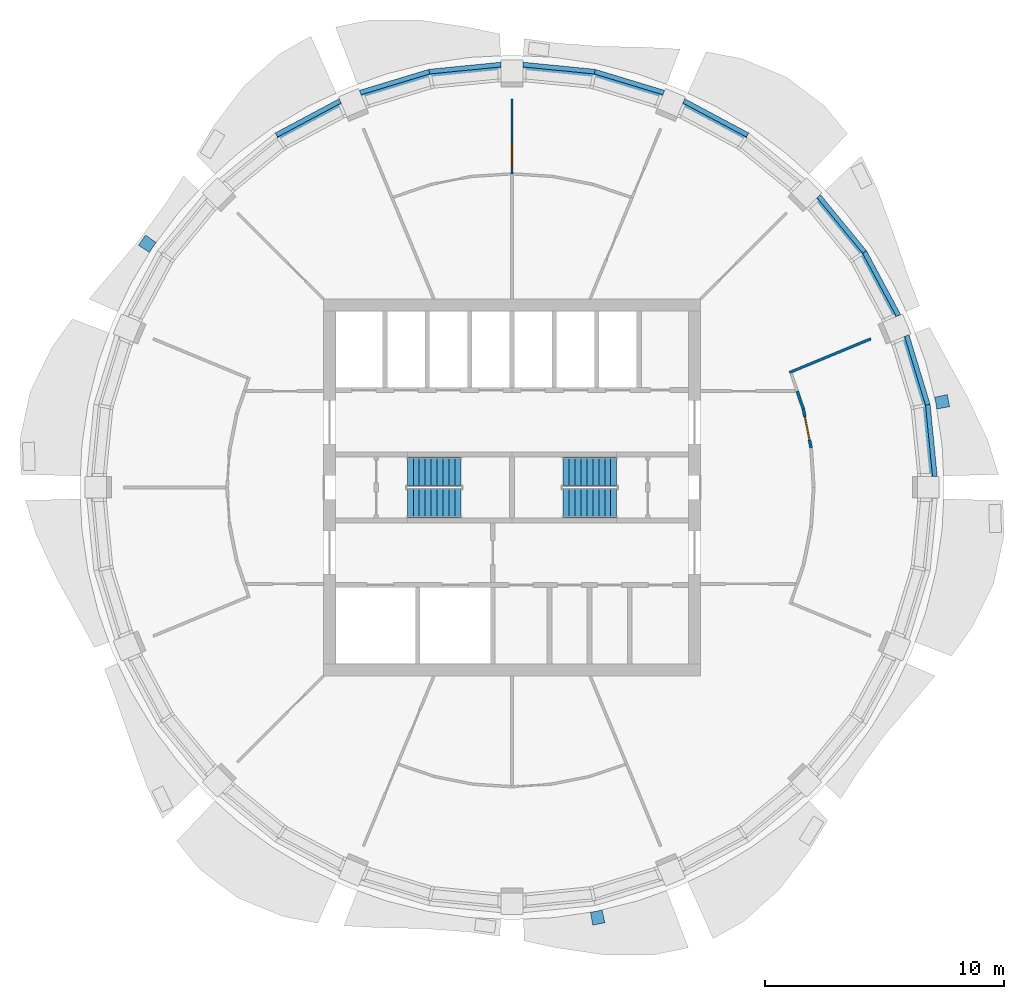
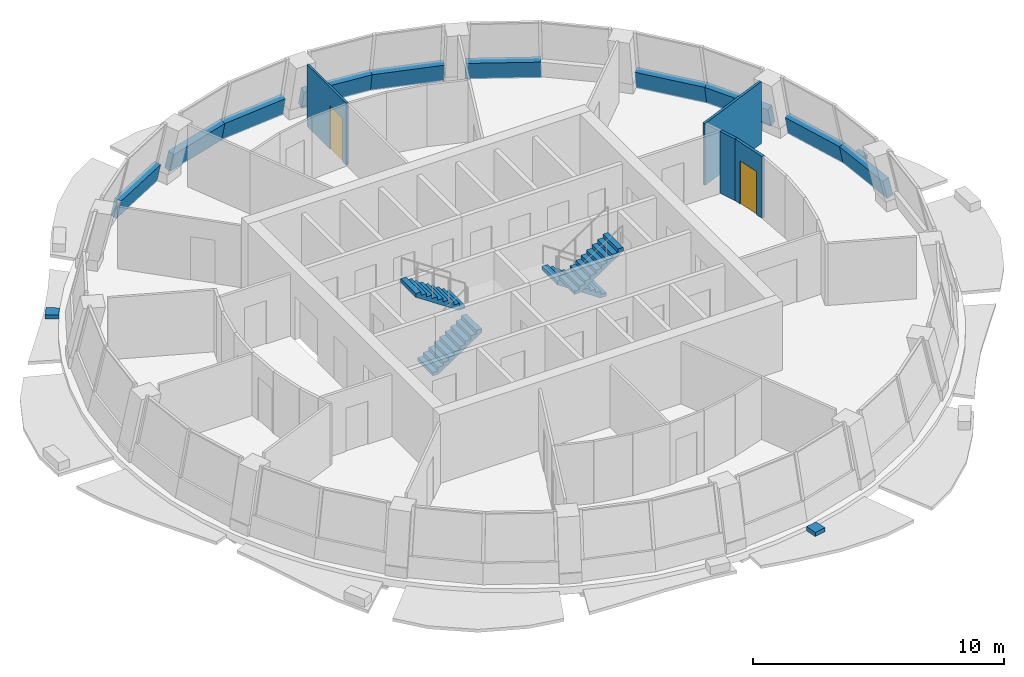
# One storey, part 7 of 11: 14 walls, 4 stair flights, 3 discrete accessories, 2 doors, 2 openings, 2 elements without a shape of their own.
"""IFC4 building model written with IfcOpenShell, lengths in metres."""

from ifc_helpers import new_model, si_unit, direction, frame, frame_2d, origin, place, context, subcontext, project, spatial, polyline, rectangle, outline, extrude, material, layer, layer_set, type_object, element, fill, aggregate, save


model = new_model("IFC4")

# Units and contexts
model_context = context("Model", 3, precision=1e-05, world=origin(), true_north=direction((0.0, 1.0)))
body_context = subcontext(model_context, "Body", "Model", "MODEL_VIEW")
ifc_project = project(units=[si_unit("LENGTHUNIT", "METRE"), si_unit("AREAUNIT", "SQUARE_METRE"), si_unit("VOLUMEUNIT", "CUBIC_METRE"), si_unit("PLANEANGLEUNIT", "RADIAN"), si_unit("MASSUNIT", "GRAM", prefix="KILO")], contexts=[model_context])

# Site, building, storey
site_placement = place(None, origin())
site = spatial("IfcSite", under=ifc_project, at=site_placement, CompositionType="ELEMENT")
building_placement = place(site_placement, origin())
building = spatial("IfcBuilding", under=site, at=building_placement, Name="Polderwave Tower", CompositionType="ELEMENT")
storey_placement = place(building_placement, frame((0.0, 0.0, 194.35009765625)))
storey = spatial("IfcBuildingStorey", under=building, at=storey_placement, Name="L52", CompositionType="ELEMENT", Elevation=194.35009765625)

# Walls
ifc_material_1 = material(Name="Concrete C50/60 (board-marked)", Category="concrete")
ifc_layer_1 = layer(ifc_material_1, 0.300048828125)
ifc_layer_set_1 = layer_set([ifc_layer_1], Name="Concrete spandrel upstand C50/60")
wall_type_1 = type_object("IfcWallType", Name="Concrete spandrel upstand C50/60", PredefinedType="SOLIDWALL", material=ifc_layer_set_1)
wall_1_placement = place(storey_placement, frame((17.760986328125, 0.452392578125, 0.0), z_axis=(0.97249010376, 0.095864823567, 0.212303871116), x_axis=(-0.098101930154, 0.99517637195, 3.527581e-06)))
element("IfcWall", 1, at=wall_1_placement, inside=storey, type_object=wall_type_1, Name="Spandrel L52 1a", PredefinedType="SOLIDWALL", context=body_context, shape_type="SweptSolid", body=[
    extrude(outline(polyline([(0.0, 0.0), (3.0356437454339593, 0.0), (3.0163988077285375, 0.9208844640206579), (0.019526424025674134, 0.9209062406361449), (0.0, 0.0)])), origin(), (0.0, 0.0, -1.0), 0.300048828125),
])
wall_2_placement = place(storey_placement, frame((17.463134765625, 3.473388671875, 0.0), z_axis=(0.935041095889, 0.283793868342, 0.212506915863), x_axis=(-0.290427134364, 0.95689711026, -1.066012e-06)))
element("IfcWall", 2, at=wall_2_placement, inside=storey, type_object=wall_type_1, Name="Spandrel L52 1b", PredefinedType="SOLIDWALL", context=body_context, shape_type="SweptSolid", body=[
    extrude(outline(polyline([(0.0, 0.0), (3.0363904586248234, 0.0), (3.016955070826053, 0.9209402377429501), (0.019336098758911704, 0.9209336550658336), (0.0, 0.0)])), origin(), (0.0, 0.0, -1.0), 0.300048828125),
])
wall_3_placement = place(storey_placement, frame((16.2353515625, 7.214599609375, 0.0), z_axis=(0.861789394807, 0.460754770514, 0.212188784921), x_axis=(-0.471490043987, 0.881871384263, -6.256758e-06)))
element("IfcWall", 3, at=wall_3_placement, inside=storey, type_object=wall_type_1, Name="Spandrel L52 2a", PredefinedType="SOLIDWALL", context=body_context, shape_type="SweptSolid", body=[
    extrude(outline(polyline([(0.0, 0.0), (3.03554549958396, -5.551115123125783e-17), (3.0163089928091895, 0.9208911097248913), (0.019423712232032004, 0.9208524867681933), (0.0, 0.0)])), origin(), (0.0, 0.0, -1.0), 0.300048828125),
])
wall_4_placement = place(storey_placement, frame((14.80419921875, 9.8916015625, 0.0), z_axis=(0.755497688388, 0.619802269372, 0.212293169277), x_axis=(-0.634259472964, 0.773120249997, -5.64234e-07)))
element("IfcWall", 4, at=wall_4_placement, inside=storey, type_object=wall_type_1, Name="Spandrel L52 2b", PredefinedType="SOLIDWALL", context=body_context, shape_type="SweptSolid", body=[
    extrude(outline(polyline([(0.0, 0.0), (3.0362768375144626, 0.0), (3.01698634388749, 0.9208949038144901), (0.019221864233381108, 0.9208914197913123), (0.0, 0.0)])), origin(), (0.0, 0.0, -1.0), 0.300048828125),
])
wall_5_placement = place(storey_placement, frame((9.8916015625, 14.80419921875, 0.0), z_axis=(0.460754770514, 0.861789394807, 0.212188784921), x_axis=(-0.881871384263, 0.471490043987, 6.256758e-06)))
element("IfcWall", 5, at=wall_5_placement, inside=storey, type_object=wall_type_1, Name="Spandrel L52 3b", PredefinedType="SOLIDWALL", context=body_context, shape_type="SweptSolid", body=[
    extrude(outline(polyline([(0.0, 0.0), (3.03554549958396, 5.551115123125783e-17), (3.016121787351928, 0.9208524867681933), (0.01923650677477023, 0.9208911097248913), (0.0, 0.0)])), origin(), (0.0, 0.0, -1.0), 0.300048828125),
])
wall_6_placement = place(storey_placement, frame((6.37890625, 16.581298828125, 0.0), z_axis=(0.283813796785, 0.935106755918, 0.212191149183), x_axis=(-0.95689711006, 0.290427135022, 1.064503e-06)))
element("IfcWall", 6, at=wall_6_placement, inside=storey, type_object=wall_type_1, Name="Spandrel L52 4a", PredefinedType="SOLIDWALL", context=body_context, shape_type="SweptSolid", body=[
    extrude(outline(polyline([(0.0, 0.0), (3.036390458624818, -2.7755575615628914e-17), (3.0168916459767527, 0.9208689950614573), (0.01927267390959606, 0.9208755679572916), (0.0, 0.0)])), origin(), (0.0, 0.0, -1.0), 0.300048828125),
])
wall_7_placement = place(storey_placement, frame((3.473388671875, 17.463134765625, 0.0), z_axis=(0.095859451019, 0.97243560254, 0.212555791646), x_axis=(-0.995176371772, 0.098101931965, -3.531569e-06)))
element("IfcWall", 7, at=wall_7_placement, inside=storey, type_object=wall_type_1, Name="Spandrel L52 4b", PredefinedType="SOLIDWALL", context=body_context, shape_type="SweptSolid", body=[
    extrude(outline(polyline([(0.0, 0.0), (3.0356437454340064, 0.0), (3.0160933667967216, 0.9209578660590205), (0.019220983093998154, 0.920936063603324), (0.0, 0.0)])), origin(), (0.0, 0.0, -1.0), 0.300048828125),
])
wall_8_placement = place(storey_placement, frame((-0.452392578125, 17.760986328125, 0.0), z_axis=(-0.095864823567, 0.97249010376, 0.212303871116), x_axis=(-0.99517637195, -0.098101930154, 3.527581e-06)))
element("IfcWall", 8, at=wall_8_placement, inside=storey, type_object=wall_type_1, Name="Spandrel L52 5a", PredefinedType="SOLIDWALL", context=body_context, shape_type="SweptSolid", body=[
    extrude(outline(polyline([(0.0, 0.0), (3.0356437454339593, 0.0), (3.0163988077285375, 0.9208844640206579), (0.019526424025674134, 0.9209062406361449), (0.0, 0.0)])), origin(), (0.0, 0.0, -1.0), 0.300048828125),
])
wall_9_placement = place(storey_placement, frame((-3.473388671875, 17.463134765625, 0.0), z_axis=(-0.283793868342, 0.935041095889, 0.212506915863), x_axis=(-0.95689711026, -0.290427134364, -1.066012e-06)))
element("IfcWall", 9, at=wall_9_placement, inside=storey, type_object=wall_type_1, Name="Spandrel L52 5b", PredefinedType="SOLIDWALL", context=body_context, shape_type="SweptSolid", body=[
    extrude(outline(polyline([(0.0, 0.0), (3.0363904586248234, 0.0), (3.016955070826053, 0.9209402377429501), (0.019336098758911704, 0.9209336550658336), (0.0, 0.0)])), origin(), (0.0, 0.0, -1.0), 0.300048828125),
])
wall_10_placement = place(storey_placement, frame((-7.214599609375, 16.2353515625, 0.0), z_axis=(-0.460754770514, 0.861789394807, 0.212188784921), x_axis=(-0.881871384263, -0.471490043987, -6.256758e-06)))
element("IfcWall", 10, at=wall_10_placement, inside=storey, type_object=wall_type_1, Name="Spandrel L52 6a", PredefinedType="SOLIDWALL", context=body_context, shape_type="SweptSolid", body=[
    extrude(outline(polyline([(0.0, 0.0), (3.03554549958396, -5.551115123125783e-17), (3.0163089928091895, 0.9208911097248913), (0.019423712232032004, 0.9208524867681933), (0.0, 0.0)])), origin(), (0.0, 0.0, -1.0), 0.300048828125),
])
ifc_material_2 = material(Name="Fire-resisting board on steel studs", Category="steel")
ifc_layer_2 = layer(ifc_material_2, 0.125)
ifc_layer_set_2 = layer_set([ifc_layer_2], Name="Corridor wall 125 mm EI 60")
wall_type_2 = type_object("IfcWallType", Name="Corridor wall 125 mm EI 60", PredefinedType="PARTITIONING", material=ifc_layer_set_2)
wall_11_placement = place(storey_placement, frame((11.91162109375, 4.0244140625, 0.0), z_axis=(0.0, 0.0, 1.0), x_axis=(0.321427947704, -0.946934039115, 0.0)))
element("IfcWall", 11, at=wall_11_placement, inside=storey, type_object=wall_type_2, Name="IN-L52-W001", PredefinedType="PARTITIONING", context=body_context, shape_type="SweptSolid", body=[
    extrude(rectangle(XDim=0.802001953125, YDim=0.125, at=frame_2d((0.40087890625, 0.0))), origin(), (0.0, 0.0, 1.0), 3.0),
])

# Wall, opening, door
wall_12_placement = place(storey_placement, frame((12.17138671875, 3.257080078125, 0.0), z_axis=(0.0, 0.0, 1.0), x_axis=(0.195171279076, -0.980769173569, 0.0)))
wall_12 = element("IfcWall", 12, at=wall_12_placement, inside=storey, type_object=wall_type_2, Name="IN-L52-W003", PredefinedType="PARTITIONING", context=body_context, shape_type="SweptSolid", body=[
    extrude(rectangle(XDim=1.639892578125, YDim=0.125, at=frame_2d((0.81982421875, 0.0))), origin(), (0.0, 0.0, 1.0), 3.0),
])
opening_1_placement = place(wall_12_placement, frame((0.300048828125, 0.0, 0.0)))
opening_1 = element("IfcOpeningElement", 13, at=opening_1_placement, cuts=wall_12, Name="Opening L52-D50", PredefinedType="OPENING", context=body_context, shape_type="SweptSolid", body=[
    extrude(rectangle(XDim=1.0, YDim=2.10009765625, at=frame_2d((0.5, 1.050048828125))), frame((0.0, 0.072509765625, 0.0), z_axis=(0.0, -1.0, 0.0), x_axis=(1.0, 0.0, 0.0)), (0.0, 0.0, 1.0), 0.14501953125),
])
ifc_material_3 = material(Name="Timber fire door leaf", Category="wood")
door_type_1 = type_object("IfcDoorType", Name="Fire door FD30S 1000 x 2100", OperationType="NOTDEFINED", PredefinedType="DOOR", material=ifc_material_3)
door_1_placement = place(opening_1_placement, origin())
door_1 = element("IfcDoor", 14, at=door_1_placement, inside=storey, type_object=door_type_1, Name="Door L52-D50", OperationType="SINGLE_SWING_LEFT", OverallHeight=2.10009765625, OverallWidth=1.0, PredefinedType="DOOR", context=body_context, shape_type="SweptSolid", body=[
    extrude(rectangle(XDim=1.0, YDim=2.10009765625, at=frame_2d((0.5, 1.050048828125))), frame((0.0, 0.02490234375, 0.0), z_axis=(0.0, -1.0, 0.0), x_axis=(1.0, 0.0, 0.0)), (0.0, 0.0, 1.0), 0.050048828125),
])
fill(opening_1, door_1)

ifc_material_4 = material(Name="Plasterboard on steel studs", Category="steel")
ifc_layer_3 = layer(ifc_material_4, 0.10009765625)
ifc_layer_set_3 = layer_set([ifc_layer_3], Name="Partition 100 mm plasterboard on steel studs")
wall_type_3 = type_object("IfcWallType", Name="Partition 100 mm plasterboard on steel studs", PredefinedType="PARTITIONING", material=ifc_layer_set_3)
wall_13_placement = place(storey_placement, frame((0.0, 13.10009765625, 0.0), z_axis=(0.0, 0.0, 1.0), x_axis=(0.0, 1.0, 0.0)))
wall_13 = element("IfcWall", 15, at=wall_13_placement, inside=storey, type_object=wall_type_3, Name="IN-L52-W028", PredefinedType="PARTITIONING", context=body_context, shape_type="SweptSolid", body=[
    extrude(rectangle(XDim=3.119873046875, YDim=0.10009765625, at=frame_2d((1.56005859375, 0.0))), origin(), (0.0, 0.0, 1.0), 3.0),
])
opening_2_placement = place(wall_13_placement, frame((0.300048828125, 0.0, 0.0)))
opening_2 = element("IfcOpeningElement", 16, at=opening_2_placement, cuts=wall_13, Name="Opening L52-D60", PredefinedType="OPENING", context=body_context, shape_type="SweptSolid", body=[
    extrude(rectangle(XDim=1.0, YDim=2.10009765625, at=frame_2d((0.5, 1.050048828125))), frame((0.0, 0.06005859375, 0.0), z_axis=(0.0, -1.0, 0.0), x_axis=(1.0, 0.0, 0.0)), (0.0, 0.0, 1.0), 0.1201171875),
])
ifc_material_5 = material(Name="Timber veneer door leaf", Category="wood")
door_type_2 = type_object("IfcDoorType", Name="Single door 1000 x 2100", OperationType="NOTDEFINED", PredefinedType="DOOR", material=ifc_material_5)
door_2_placement = place(opening_2_placement, origin())
door_2 = element("IfcDoor", 17, at=door_2_placement, inside=storey, type_object=door_type_2, Name="Door L52-D60", OperationType="SINGLE_SWING_LEFT", OverallHeight=2.10009765625, OverallWidth=1.0, PredefinedType="DOOR", context=body_context, shape_type="SweptSolid", body=[
    extrude(rectangle(XDim=1.0, YDim=2.10009765625, at=frame_2d((0.5, 1.050048828125))), frame((0.0, 0.02490234375, 0.0), z_axis=(0.0, -1.0, 0.0), x_axis=(1.0, 0.0, 0.0)), (0.0, 0.0, 1.0), 0.050048828125),
])
fill(opening_2, door_2)

# Wall
ifc_material_6 = material(Name="Acoustic double plasterboard on steel studs", Category="steel")
ifc_layer_4 = layer(ifc_material_6, 0.110107421875)
ifc_layer_set_4 = layer_set([ifc_layer_4], Name="Partition 110 mm acoustic double board")
wall_type_4 = type_object("IfcWallType", Name="Partition 110 mm acoustic double board", PredefinedType="PARTITIONING", material=ifc_layer_set_4)
wall_14_placement = place(storey_placement, frame((11.590087890625, 4.80078125, 0.0), z_axis=(0.0, 0.0, 1.0), x_axis=(0.923890524694, 0.382656893811, 0.0)))
element("IfcWall", 18, at=wall_14_placement, inside=storey, type_object=wall_type_4, Name="IN-L52-W017", PredefinedType="PARTITIONING", context=body_context, shape_type="SweptSolid", body=[
    extrude(rectangle(XDim=3.675048828125, YDim=0.110107421875, at=frame_2d((1.83740234375, 0.0))), origin(), (0.0, 0.0, 1.0), 3.0),
])

# Stair, stair flights
ifc_material_7 = material(Name="Concrete C40/50", Category="concrete")
stair_type = type_object("IfcStairType", Name="Exit stair 1200 x 20 risers", PredefinedType="HALF_TURN_STAIR", material=ifc_material_7)
stair_1_placement = place(storey_placement, origin())
stair_1 = element("IfcStair", 19, at=stair_1_placement, inside=storey, type_object=stair_type, Name="L52 Exit stair A", PredefinedType="HALF_TURN_STAIR")
stair_flight_type = type_object("IfcStairFlightType", Name="Stair flight 1200", PredefinedType="STRAIGHT", material=ifc_material_7)
stair_flight_1_placement = place(storey_placement, frame((-4.3740234375, -0.675048828125, 0.0), z_axis=(0.0, 0.0, 1.0), x_axis=(1.0, 0.0, 0.0)))
stair_flight_1 = element("IfcStairFlight", 20, at=stair_flight_1_placement, type_object=stair_flight_type, Name="ST-A flight 1", NumberOfRisers=10, NumberOfTreads=9, PredefinedType="STRAIGHT", RiserHeight=0.1675, TreadLength=0.25, context=body_context, shape_type="SweptSolid", body=[
    extrude(outline(polyline([(0.0, 0.0), (0.0, 0.16748046875), (0.25, 0.16748046875), (0.25, 0.3349609375), (0.5, 0.3349609375), (0.5, 0.50244140625), (0.75, 0.50244140625), (0.75, 0.669921875), (1.0, 0.669921875), (1.0, 0.83740234375), (1.25, 0.83740234375), (1.25, 1.0048828125), (1.5, 1.0048828125), (1.5, 1.172607421875), (1.75, 1.172607421875), (1.75, 1.340087890625), (2.0, 1.340087890625), (2.0, 1.507568359375), (2.25, 1.507568359375), (2.25, 1.675048828125), (2.25, 1.3271484375), (0.269287109375, 0.0), (0.0, 0.0)])), frame((0.0, 0.60009765625, 0.0), z_axis=(0.0, -1.0, 0.0), x_axis=(1.0, 0.0, 0.0)), (0.0, 0.0, 1.0), 1.199951171875),
])
stair_flight_2_placement = place(storey_placement, frame((-2.1240234375, 0.675048828125, 1.6748046875), z_axis=(0.0, 0.0, 1.0), x_axis=(-1.0, 0.0, 0.0)))
stair_flight_2 = element("IfcStairFlight", 21, at=stair_flight_2_placement, type_object=stair_flight_type, Name="ST-A flight 2", NumberOfRisers=10, NumberOfTreads=9, PredefinedType="STRAIGHT", RiserHeight=0.1675, TreadLength=0.25, context=body_context, shape_type="SweptSolid", body=[
    extrude(outline(polyline([(0.0, 0.0), (0.0, 0.16748046875), (0.25, 0.16748046875), (0.25, 0.3349609375), (0.5, 0.3349609375), (0.5, 0.50244140625), (0.75, 0.50244140625), (0.75, 0.669921875), (1.0, 0.669921875), (1.0, 0.83740234375), (1.25, 0.83740234375), (1.25, 1.0048828125), (1.5, 1.0048828125), (1.5, 1.172607421875), (1.75, 1.172607421875), (1.75, 1.340087890625), (2.0, 1.340087890625), (2.0, 1.507568359375), (2.25, 1.507568359375), (2.25, 1.675048828125), (2.25, 1.3271484375), (0.269287109375, 0.0), (0.0, 0.0)])), frame((0.0, 0.60009765625, 0.0), z_axis=(0.0, -1.0, 0.0), x_axis=(1.0, 0.0, 0.0)), (0.0, 0.0, 1.0), 1.199951171875),
])
aggregate(stair_1, [stair_flight_1, stair_flight_2])

stair_2_placement = place(storey_placement, origin())
stair_2 = element("IfcStair", 22, at=stair_2_placement, inside=storey, type_object=stair_type, Name="L52 Exit stair B", PredefinedType="HALF_TURN_STAIR")
stair_flight_3_placement = place(storey_placement, frame((4.3740234375, 0.675048828125, 0.0), z_axis=(0.0, 0.0, 1.0), x_axis=(-1.0, 0.0, 0.0)))
stair_flight_3 = element("IfcStairFlight", 23, at=stair_flight_3_placement, type_object=stair_flight_type, Name="ST-B flight 1", NumberOfRisers=10, NumberOfTreads=9, PredefinedType="STRAIGHT", RiserHeight=0.1675, TreadLength=0.25, context=body_context, shape_type="SweptSolid", body=[
    extrude(outline(polyline([(0.0, 0.0), (0.0, 0.16748046875), (0.25, 0.16748046875), (0.25, 0.3349609375), (0.5, 0.3349609375), (0.5, 0.50244140625), (0.75, 0.50244140625), (0.75, 0.669921875), (1.0, 0.669921875), (1.0, 0.83740234375), (1.25, 0.83740234375), (1.25, 1.0048828125), (1.5, 1.0048828125), (1.5, 1.172607421875), (1.75, 1.172607421875), (1.75, 1.340087890625), (2.0, 1.340087890625), (2.0, 1.507568359375), (2.25, 1.507568359375), (2.25, 1.675048828125), (2.25, 1.3271484375), (0.269287109375, 0.0), (0.0, 0.0)])), frame((0.0, 0.60009765625, 0.0), z_axis=(0.0, -1.0, 0.0), x_axis=(1.0, 0.0, 0.0)), (0.0, 0.0, 1.0), 1.199951171875),
])
stair_flight_4_placement = place(storey_placement, frame((2.1240234375, -0.675048828125, 1.6748046875), z_axis=(0.0, 0.0, 1.0), x_axis=(1.0, 0.0, 0.0)))
stair_flight_4 = element("IfcStairFlight", 24, at=stair_flight_4_placement, type_object=stair_flight_type, Name="ST-B flight 2", NumberOfRisers=10, NumberOfTreads=9, PredefinedType="STRAIGHT", RiserHeight=0.1675, TreadLength=0.25, context=body_context, shape_type="SweptSolid", body=[
    extrude(outline(polyline([(0.0, 0.0), (0.0, 0.16748046875), (0.25, 0.16748046875), (0.25, 0.3349609375), (0.5, 0.3349609375), (0.5, 0.50244140625), (0.75, 0.50244140625), (0.75, 0.669921875), (1.0, 0.669921875), (1.0, 0.83740234375), (1.25, 0.83740234375), (1.25, 1.0048828125), (1.5, 1.0048828125), (1.5, 1.172607421875), (1.75, 1.172607421875), (1.75, 1.340087890625), (2.0, 1.340087890625), (2.0, 1.507568359375), (2.25, 1.507568359375), (2.25, 1.675048828125), (2.25, 1.3271484375), (0.269287109375, 0.0), (0.0, 0.0)])), frame((0.0, 0.60009765625, 0.0), z_axis=(0.0, -1.0, 0.0), x_axis=(1.0, 0.0, 0.0)), (0.0, 0.0, 1.0), 1.199951171875),
])
aggregate(stair_2, [stair_flight_3, stair_flight_4])

# Discrete accessories
ifc_material_8 = material(Name="Steel S355", Category="steel")
discrete_accessory_type = type_object("IfcDiscreteAccessoryType", Name="Band bracket pad", PredefinedType="BRACKET", material=ifc_material_8)
discrete_accessory_1_placement = place(storey_placement, frame((0.0, 0.0, -0.2001953125)))
element("IfcDiscreteAccessory", 25, at=discrete_accessory_1_placement, inside=storey, type_object=discrete_accessory_type, Name="Band bracket L52 1", PredefinedType="BRACKET", context=body_context, shape_type="SweptSolid", body=[
    extrude(outline(polyline([(17.739990234375, 3.274169921875), (17.703125, 3.521484375), (17.642333984375, 3.763916015625), (18.180419921875, 3.878662109375), (18.28076171875, 3.373779296875), (17.739990234375, 3.274169921875)])), origin(), (0.0, 0.0, 1.0), 0.2001953125),
])
discrete_accessory_2_placement = place(storey_placement, frame((0.0, 0.0, -0.2001953125)))
element("IfcDiscreteAccessory", 26, at=discrete_accessory_2_placement, inside=storey, type_object=discrete_accessory_type, Name="Band bracket L52 7", PredefinedType="BRACKET", context=body_context, shape_type="SweptSolid", body=[
    extrude(outline(polyline([(-14.859130859375, 10.228759765625), (-15.008056640625, 10.028076171875), (-15.13671875, 9.813720703125), (-15.597900390625, 10.11279296875), (-15.31201171875, 10.540771484375), (-14.859130859375, 10.228759765625)])), origin(), (0.0, 0.0, 1.0), 0.2001953125),
])
discrete_accessory_3_placement = place(storey_placement, frame((0.0, 0.0, -0.2001953125)))
element("IfcDiscreteAccessory", 27, at=discrete_accessory_3_placement, inside=storey, type_object=discrete_accessory_type, Name="Band bracket L52 13", PredefinedType="BRACKET", context=body_context, shape_type="SweptSolid", body=[
    extrude(outline(polyline([(3.274169921875, -17.739990234375), (3.521484375, -17.703125), (3.763916015625, -17.642333984375), (3.878662109375, -18.180419921875), (3.373779296875, -18.28076171875), (3.274169921875, -17.739990234375)])), origin(), (0.0, 0.0, 1.0), 0.2001953125),
])

save(model, "model.ifc")
